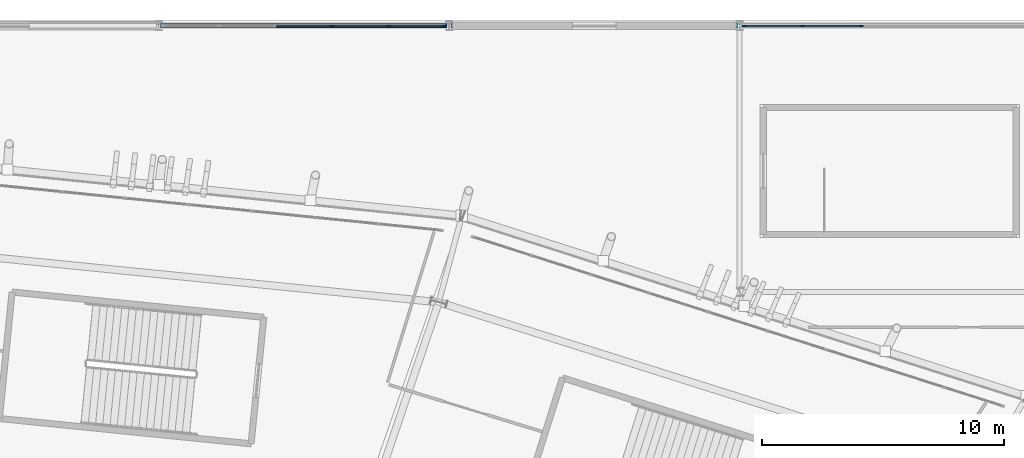
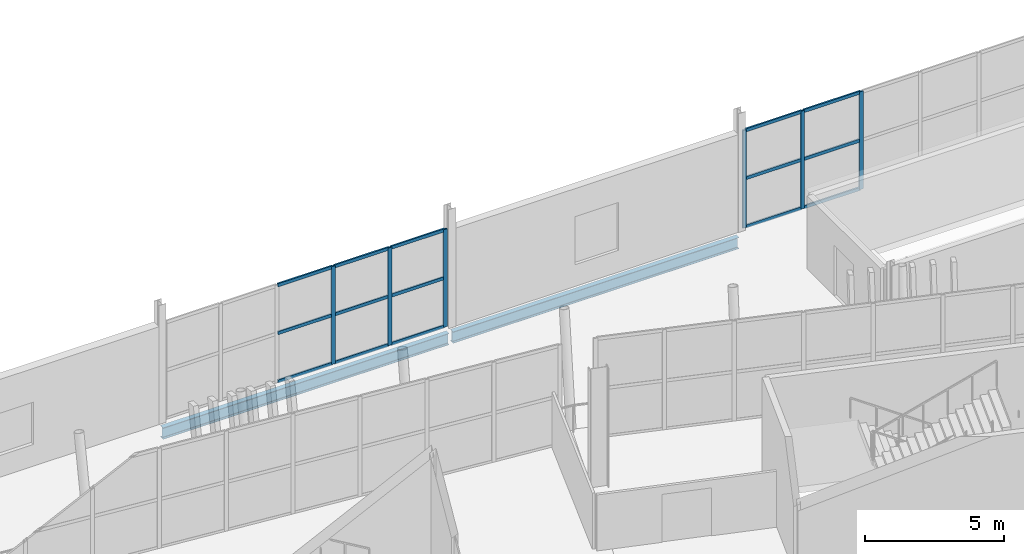
# One storey, part 80 of 168: 21 members, 2 beams, 2 elements without a shape of their own.
"""IFC4 building model written with IfcOpenShell, lengths in metres."""

from ifc_helpers import new_model, si_unit, direction, frame, origin, origin_2d, place, context, subcontext, project, spatial, rectangle, i_section, extrude, material, material_profile, profile_set, type_object, element, aggregate, save


model = new_model("IFC4")

# Units and contexts
model_context = context("Model", 3, precision=1e-05, world=origin(), true_north=direction((0.0, 1.0)))
body_context = subcontext(model_context, "Body", "Model", "MODEL_VIEW")
ifc_project = project(units=[si_unit("LENGTHUNIT", "METRE"), si_unit("AREAUNIT", "SQUARE_METRE"), si_unit("VOLUMEUNIT", "CUBIC_METRE"), si_unit("PLANEANGLEUNIT", "RADIAN"), si_unit("MASSUNIT", "GRAM", prefix="KILO")], contexts=[model_context])

# Site, building, storey
site_placement = place(None, origin())
site = spatial("IfcSite", under=ifc_project, at=site_placement, CompositionType="ELEMENT")
building_placement = place(site_placement, origin())
building = spatial("IfcBuilding", under=site, at=building_placement, Name="Zlatoyarsky Gate Stadium", CompositionType="ELEMENT")
storey_placement = place(building_placement, frame((0.0, 0.0, 15.60009765625)))
storey = spatial("IfcBuildingStorey", under=building, at=storey_placement, Name="L03", CompositionType="ELEMENT", Elevation=15.60009765625)

# Curtain wall, members
ifc_material_1 = material(Name="Thermally broken anodised aluminium curtain wall", Category="aluminium")
curtain_wall_type = type_object("IfcCurtainWallType", Name="WINTER GARDEN CONSERVATORY GLAZING", PredefinedType="USERDEFINED", material=ifc_material_1)
curtain_wall_1_placement = place(storey_placement, origin())
curtain_wall_1 = element("IfcCurtainWall", 1, at=curtain_wall_1_placement, inside=storey, type_object=curtain_wall_type, Name="Curtain wall CW-V2_NORTH-L03-155", ObjectType="UNITISED GLAZING", PredefinedType="USERDEFINED")
ifc_material_2 = material(Name="Anodised aluminium 6063-T6", Category="aluminium")
ifc_material_profile_1 = material_profile(ifc_material_2, rectangle(XDim=0.06494140625, YDim=0.159912109375, at=origin_2d()), Name="ALU 65X160")
ifc_profile_set_1 = profile_set([ifc_material_profile_1], Name="Anodised aluminium 6063-T6")
member_type_1 = type_object("IfcMemberType", Name="ALUMINIUM MULLION 65X160", PredefinedType="MULLION", material=ifc_profile_set_1)
member_1_placement = place(storey_placement, frame((130.66748046875, 160.0, 0.0), z_axis=(0.0, 0.0, 1.0), x_axis=(0.0, 1.0, 0.0)))
member_1 = element("IfcMember", 2, at=member_1_placement, type_object=member_type_1, Name="CW-WG1 mullion 4", PredefinedType="MULLION", context=body_context, shape_type="SweptSolid", body=[
    extrude(rectangle(XDim=0.06494140625, YDim=0.159912109375, at=origin_2d()), origin(), (0.0, 0.0, 1.0), 4.27978515625),
])
member_2_placement = place(storey_placement, frame((133.002685546875, 160.0, 0.0), z_axis=(0.0, 0.0, 1.0), x_axis=(0.0, 1.0, 0.0)))
member_2 = element("IfcMember", 3, at=member_2_placement, type_object=member_type_1, Name="CW-WG1 mullion 5", PredefinedType="MULLION", context=body_context, shape_type="SweptSolid", body=[
    extrude(rectangle(XDim=0.06494140625, YDim=0.159912109375, at=origin_2d()), origin(), (0.0, 0.0, 1.0), 4.27978515625),
])
member_3_placement = place(storey_placement, frame((135.305419921875, 160.0, 0.0), z_axis=(0.0, 0.0, 1.0), x_axis=(0.0, 1.0, 0.0)))
member_3 = element("IfcMember", 4, at=member_3_placement, type_object=member_type_1, Name="CW-WG1 mullion 6", PredefinedType="MULLION", context=body_context, shape_type="SweptSolid", body=[
    extrude(rectangle(XDim=0.06494140625, YDim=0.159912109375, at=origin_2d()), origin(), (0.0, 0.0, 1.0), 4.27978515625),
])

curtain_wall_2_placement = place(storey_placement, origin())
curtain_wall_2 = element("IfcCurtainWall", 5, at=curtain_wall_2_placement, inside=storey, type_object=curtain_wall_type, Name="Curtain wall CW-V2_NORTH-L03-156", ObjectType="UNITISED GLAZING", PredefinedType="USERDEFINED")
member_4_placement = place(storey_placement, frame((147.694580078125, 160.0, 0.0), z_axis=(0.0, 0.0, 1.0), x_axis=(0.0, 1.0, 0.0)))
member_4 = element("IfcMember", 6, at=member_4_placement, type_object=member_type_1, Name="CW-WG1 mullion 1", PredefinedType="MULLION", context=body_context, shape_type="SweptSolid", body=[
    extrude(rectangle(XDim=0.06494140625, YDim=0.159912109375, at=origin_2d()), origin(), (0.0, 0.0, 1.0), 4.27978515625),
])
member_5_placement = place(storey_placement, frame((150.09716796875, 160.0, 0.0), z_axis=(0.0, 0.0, 1.0), x_axis=(0.0, 1.0, 0.0)))
member_5 = element("IfcMember", 7, at=member_5_placement, type_object=member_type_1, Name="CW-WG1 mullion 2", PredefinedType="MULLION", context=body_context, shape_type="SweptSolid", body=[
    extrude(rectangle(XDim=0.06494140625, YDim=0.159912109375, at=origin_2d()), origin(), (0.0, 0.0, 1.0), 4.27978515625),
])
member_6_placement = place(storey_placement, frame((152.532470703125, 160.0, 0.0), z_axis=(0.0, 0.0, 1.0), x_axis=(0.0, 1.0, 0.0)))
member_6 = element("IfcMember", 8, at=member_6_placement, type_object=member_type_1, Name="CW-WG1 mullion 3", PredefinedType="MULLION", context=body_context, shape_type="SweptSolid", body=[
    extrude(rectangle(XDim=0.06494140625, YDim=0.159912109375, at=origin_2d()), origin(), (0.0, 0.0, 1.0), 4.27978515625),
])

# Member
ifc_material_profile_2 = material_profile(ifc_material_2, rectangle(XDim=0.06494140625, YDim=0.139892578125, at=origin_2d()), Name="ALU 65X140")
ifc_profile_set_2 = profile_set([ifc_material_profile_2], Name="Anodised aluminium 6063-T6")
member_type_2 = type_object("IfcMemberType", Name="ALUMINIUM TRANSOM 65X140", PredefinedType="USERDEFINED", material=ifc_profile_set_2)
member_7_placement = place(storey_placement, frame((128.364990234375, 160.0, 0.032470703125), z_axis=(1.0, 0.0, 0.0), x_axis=(0.0, 1.0, 0.0)))
member_7 = element("IfcMember", 9, at=member_7_placement, type_object=member_type_2, Name="CW-WG1 transom 3.1", ObjectType="TRANSOM", PredefinedType="USERDEFINED", context=body_context, shape_type="SweptSolid", body=[
    extrude(rectangle(XDim=0.06494140625, YDim=0.139892578125, at=origin_2d()), origin(), (0.0, 0.0, 1.0), 2.27001953125),
])

member_8_placement = place(storey_placement, frame((128.364990234375, 160.0, 2.14990234375), z_axis=(1.0, 0.0, 0.0), x_axis=(0.0, 1.0, 0.0)))
member_8 = element("IfcMember", 10, at=member_8_placement, type_object=member_type_2, Name="CW-WG1 transom 3.2", ObjectType="TRANSOM", PredefinedType="USERDEFINED", context=body_context, shape_type="SweptSolid", body=[
    extrude(rectangle(XDim=0.06494140625, YDim=0.139892578125, at=origin_2d()), origin(), (0.0, 0.0, 1.0), 2.27001953125),
])

member_9_placement = place(storey_placement, frame((128.364990234375, 160.0, 4.247314453125), z_axis=(1.0, 0.0, 0.0), x_axis=(0.0, 1.0, 0.0)))
member_9 = element("IfcMember", 11, at=member_9_placement, type_object=member_type_2, Name="CW-WG1 transom 3.3", ObjectType="TRANSOM", PredefinedType="USERDEFINED", context=body_context, shape_type="SweptSolid", body=[
    extrude(rectangle(XDim=0.06494140625, YDim=0.139892578125, at=origin_2d()), origin(), (0.0, 0.0, 1.0), 2.27001953125),
])

member_10_placement = place(storey_placement, frame((130.7001953125, 160.0, 0.032470703125), z_axis=(1.0, 0.0, 0.0), x_axis=(0.0, 1.0, 0.0)))
member_10 = element("IfcMember", 12, at=member_10_placement, type_object=member_type_2, Name="CW-WG1 transom 4.1", ObjectType="TRANSOM", PredefinedType="USERDEFINED", context=body_context, shape_type="SweptSolid", body=[
    extrude(rectangle(XDim=0.06494140625, YDim=0.139892578125, at=origin_2d()), origin(), (0.0, 0.0, 1.0), 2.27001953125),
])

member_11_placement = place(storey_placement, frame((130.7001953125, 160.0, 2.14990234375), z_axis=(1.0, 0.0, 0.0), x_axis=(0.0, 1.0, 0.0)))
member_11 = element("IfcMember", 13, at=member_11_placement, type_object=member_type_2, Name="CW-WG1 transom 4.2", ObjectType="TRANSOM", PredefinedType="USERDEFINED", context=body_context, shape_type="SweptSolid", body=[
    extrude(rectangle(XDim=0.06494140625, YDim=0.139892578125, at=origin_2d()), origin(), (0.0, 0.0, 1.0), 2.27001953125),
])

member_12_placement = place(storey_placement, frame((130.7001953125, 160.0, 4.247314453125), z_axis=(1.0, 0.0, 0.0), x_axis=(0.0, 1.0, 0.0)))
member_12 = element("IfcMember", 14, at=member_12_placement, type_object=member_type_2, Name="CW-WG1 transom 4.3", ObjectType="TRANSOM", PredefinedType="USERDEFINED", context=body_context, shape_type="SweptSolid", body=[
    extrude(rectangle(XDim=0.06494140625, YDim=0.139892578125, at=origin_2d()), origin(), (0.0, 0.0, 1.0), 2.27001953125),
])

member_13_placement = place(storey_placement, frame((133.035400390625, 160.0, 0.032470703125), z_axis=(1.0, 0.0, 0.0), x_axis=(0.0, 1.0, 0.0)))
member_13 = element("IfcMember", 15, at=member_13_placement, type_object=member_type_2, Name="CW-WG1 transom 5.1", ObjectType="TRANSOM", PredefinedType="USERDEFINED", context=body_context, shape_type="SweptSolid", body=[
    extrude(rectangle(XDim=0.06494140625, YDim=0.139892578125, at=origin_2d()), origin(), (0.0, 0.0, 1.0), 2.237548828125),
])

member_14_placement = place(storey_placement, frame((133.035400390625, 160.0, 2.14990234375), z_axis=(1.0, 0.0, 0.0), x_axis=(0.0, 1.0, 0.0)))
member_14 = element("IfcMember", 16, at=member_14_placement, type_object=member_type_2, Name="CW-WG1 transom 5.2", ObjectType="TRANSOM", PredefinedType="USERDEFINED", context=body_context, shape_type="SweptSolid", body=[
    extrude(rectangle(XDim=0.06494140625, YDim=0.139892578125, at=origin_2d()), origin(), (0.0, 0.0, 1.0), 2.237548828125),
])

member_15_placement = place(storey_placement, frame((133.035400390625, 160.0, 4.247314453125), z_axis=(1.0, 0.0, 0.0), x_axis=(0.0, 1.0, 0.0)))
member_15 = element("IfcMember", 17, at=member_15_placement, type_object=member_type_2, Name="CW-WG1 transom 5.3", ObjectType="TRANSOM", PredefinedType="USERDEFINED", context=body_context, shape_type="SweptSolid", body=[
    extrude(rectangle(XDim=0.06494140625, YDim=0.139892578125, at=origin_2d()), origin(), (0.0, 0.0, 1.0), 2.237548828125),
])

aggregate(curtain_wall_1, [member_1, member_2, member_3, member_7, member_8, member_9, member_10, member_11, member_12, member_13, member_14, member_15])

member_16_placement = place(storey_placement, frame((147.72705078125, 160.0, 0.032470703125), z_axis=(1.0, 0.0, 0.0), x_axis=(0.0, 1.0, 0.0)))
member_16 = element("IfcMember", 18, at=member_16_placement, type_object=member_type_2, Name="CW-WG1 transom 1.1", ObjectType="TRANSOM", PredefinedType="USERDEFINED", context=body_context, shape_type="SweptSolid", body=[
    extrude(rectangle(XDim=0.06494140625, YDim=0.139892578125, at=origin_2d()), origin(), (0.0, 0.0, 1.0), 2.337646484375),
])

member_17_placement = place(storey_placement, frame((147.72705078125, 160.0, 2.14990234375), z_axis=(1.0, 0.0, 0.0), x_axis=(0.0, 1.0, 0.0)))
member_17 = element("IfcMember", 19, at=member_17_placement, type_object=member_type_2, Name="CW-WG1 transom 1.2", ObjectType="TRANSOM", PredefinedType="USERDEFINED", context=body_context, shape_type="SweptSolid", body=[
    extrude(rectangle(XDim=0.06494140625, YDim=0.139892578125, at=origin_2d()), origin(), (0.0, 0.0, 1.0), 2.337646484375),
])

member_18_placement = place(storey_placement, frame((147.72705078125, 160.0, 4.247314453125), z_axis=(1.0, 0.0, 0.0), x_axis=(0.0, 1.0, 0.0)))
member_18 = element("IfcMember", 20, at=member_18_placement, type_object=member_type_2, Name="CW-WG1 transom 1.3", ObjectType="TRANSOM", PredefinedType="USERDEFINED", context=body_context, shape_type="SweptSolid", body=[
    extrude(rectangle(XDim=0.06494140625, YDim=0.139892578125, at=origin_2d()), origin(), (0.0, 0.0, 1.0), 2.337646484375),
])

member_19_placement = place(storey_placement, frame((150.129638671875, 160.0, 0.032470703125), z_axis=(1.0, 0.0, 0.0), x_axis=(0.0, 1.0, 0.0)))
member_19 = element("IfcMember", 21, at=member_19_placement, type_object=member_type_2, Name="CW-WG1 transom 2.1", ObjectType="TRANSOM", PredefinedType="USERDEFINED", context=body_context, shape_type="SweptSolid", body=[
    extrude(rectangle(XDim=0.06494140625, YDim=0.139892578125, at=origin_2d()), origin(), (0.0, 0.0, 1.0), 2.370361328125),
])

member_20_placement = place(storey_placement, frame((150.129638671875, 160.0, 2.14990234375), z_axis=(1.0, 0.0, 0.0), x_axis=(0.0, 1.0, 0.0)))
member_20 = element("IfcMember", 22, at=member_20_placement, type_object=member_type_2, Name="CW-WG1 transom 2.2", ObjectType="TRANSOM", PredefinedType="USERDEFINED", context=body_context, shape_type="SweptSolid", body=[
    extrude(rectangle(XDim=0.06494140625, YDim=0.139892578125, at=origin_2d()), origin(), (0.0, 0.0, 1.0), 2.370361328125),
])

member_21_placement = place(storey_placement, frame((150.129638671875, 160.0, 4.247314453125), z_axis=(1.0, 0.0, 0.0), x_axis=(0.0, 1.0, 0.0)))
member_21 = element("IfcMember", 23, at=member_21_placement, type_object=member_type_2, Name="CW-WG1 transom 2.3", ObjectType="TRANSOM", PredefinedType="USERDEFINED", context=body_context, shape_type="SweptSolid", body=[
    extrude(rectangle(XDim=0.06494140625, YDim=0.139892578125, at=origin_2d()), origin(), (0.0, 0.0, 1.0), 2.370361328125),
])

aggregate(curtain_wall_2, [member_4, member_5, member_6, member_16, member_17, member_18, member_19, member_20, member_21])

# Beams
ifc_material_3 = material(Name="Steel S355", Category="steel")
ifc_material_profile_3 = material_profile(ifc_material_3, i_section(OverallWidth=0.199951171875, OverallDepth=0.5, WebThickness=0.01025390625, FlangeThickness=0.01611328125, FilletRadius=0.02099609375, at=origin_2d()), Name="IPE 500")
ifc_profile_set_3 = profile_set([ifc_material_profile_3], Name="Steel S355")
beam_type = type_object("IfcBeamType", Name="STEEL FLOOR BEAM IPE 500", PredefinedType="BEAM", material=ifc_profile_set_3)
for number, where, z_axis, x_axis, name in (
    (24, (123.580078125, 160.0, -0.530029296875), (1.0, 0.0, 0.0), (0.0, 1.0, 0.0), "Beam B-IPE500 BM-L03-WGX-11-Q"),
    (25, (135.580078125, 160.0, -0.530029296875), (1.0, 0.0, 0.0), (0.0, 1.0, 0.0), "Beam B-IPE500 BM-L03-WGX-12-Q"),
):
    element("IfcBeam", number, at=place(storey_placement, frame(where, z_axis=z_axis, x_axis=x_axis)), inside=storey, type_object=beam_type, Name=name, PredefinedType="BEAM", context=body_context, shape_type="SweptSolid", body=[
        extrude(i_section(OverallWidth=0.199951171875, OverallDepth=0.5, WebThickness=0.01025390625, FlangeThickness=0.01611328125, FilletRadius=0.02099609375, at=origin_2d()), origin(), (0.0, 0.0, 1.0), 11.83984375),
    ])

save(model, "model.ifc")
